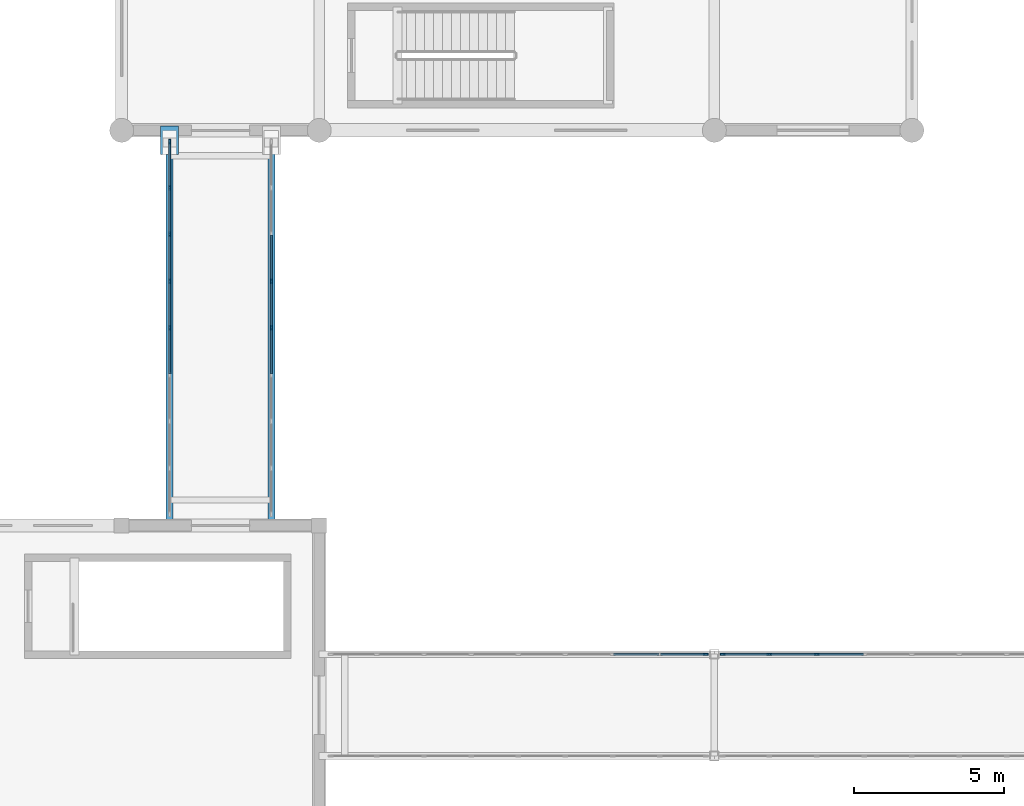
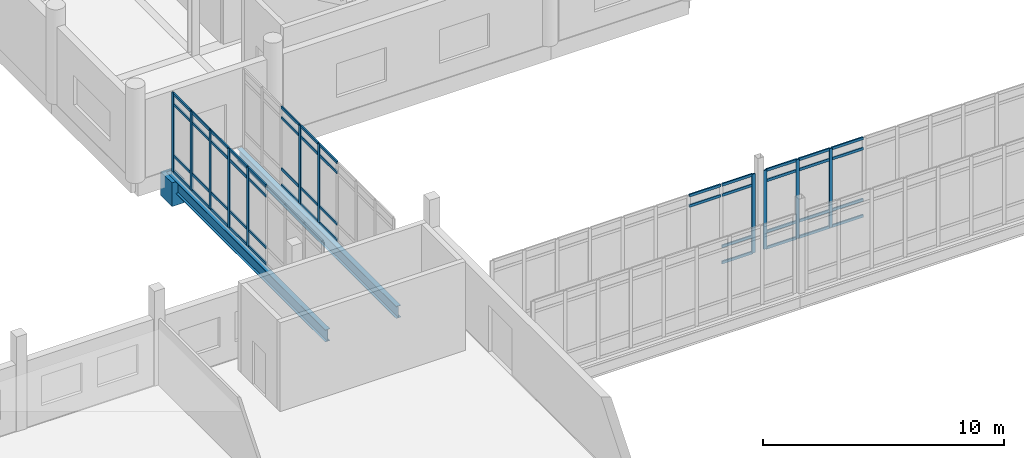
# One storey, part 12 of 101: 61 members, 3 beams, 4 elements without a shape of their own.
"""IFC4 building model written with IfcOpenShell, lengths in metres."""

from ifc_helpers import new_model, si_unit, direction, frame, origin, origin_2d, place, context, subcontext, project, spatial, rectangle, i_section, extrude, material, material_profile, profile_set, type_object, element, aggregate, save


model = new_model("IFC4")

# Units and contexts
model_context = context("Model", 3, precision=1e-05, world=origin(), true_north=direction((0.0, 1.0)))
body_context = subcontext(model_context, "Body", "Model", "MODEL_VIEW")
ifc_project = project(units=[si_unit("LENGTHUNIT", "METRE"), si_unit("AREAUNIT", "SQUARE_METRE"), si_unit("VOLUMEUNIT", "CUBIC_METRE"), si_unit("PLANEANGLEUNIT", "RADIAN"), si_unit("MASSUNIT", "GRAM", prefix="KILO")], contexts=[model_context])

# Site, building, storey
site_placement = place(None, origin())
site = spatial("IfcSite", under=ifc_project, at=site_placement, CompositionType="ELEMENT")
building_placement = place(site_placement, origin())
building = spatial("IfcBuilding", under=site, at=building_placement, Name="Dornvale Research Institute", CompositionType="ELEMENT")
storey_placement = place(building_placement, frame((0.0, 0.0, 10.199951171875)))
storey = spatial("IfcBuildingStorey", under=building, at=storey_placement, Name="L02", CompositionType="ELEMENT", Elevation=10.199951171875)

# Beams
ifc_material_1 = material(Name="Steel ASTM A992 Grade 50", Category="steel")
ifc_material_profile_1 = material_profile(ifc_material_1, i_section(OverallWidth=0.22900390625, OverallDepth=0.612060546875, WebThickness=0.011962890625, FlangeThickness=0.01953125, at=origin_2d()), Name="W24X84")
ifc_profile_set_1 = profile_set([ifc_material_profile_1], Name="Steel ASTM A992 Grade 50")
beam_type_1 = type_object("IfcBeamType", Name="Beam_Steel_W24X84_Bridge", PredefinedType="BEAM", material=ifc_profile_set_1)
for number, where, z_axis, x_axis, name in (
    (1, (41.199951171875, 26.39990234375, -0.52587890625), (0.0, 1.0, 0.0), (-1.0, 0.0, 0.0), "L02 BR-2 west girder #2011"),
    (2, (44.60009765625, 26.39990234375, -0.52587890625), (0.0, 1.0, 0.0), (-1.0, 0.0, 0.0), "L02 BR-2 east girder #2012"),
):
    element("IfcBeam", number, at=place(storey_placement, frame(where, z_axis=z_axis, x_axis=x_axis)), inside=storey, type_object=beam_type_1, Name=name, PredefinedType="BEAM", context=body_context, shape_type="SweptSolid", body=[
        extrude(i_section(OverallWidth=0.22900390625, OverallDepth=0.612060546875, WebThickness=0.011962890625, FlangeThickness=0.01953125, at=origin_2d()), origin(), (0.0, 0.0, 1.0), 13.2001953125),
    ])

# Curtain wall, members
ifc_material_2 = material(Name="Low-E Argon Double Insulating Glazing Unit", Category="glass")
curtain_wall_type_1 = type_object("IfcCurtainWallType", Name="UnitisedCurtainWall_V2_12500x4000", PredefinedType="USERDEFINED", material=ifc_material_2)
curtain_wall_1_placement = place(storey_placement, origin())
curtain_wall_1 = element("IfcCurtainWall", 3, at=curtain_wall_1_placement, inside=storey, type_object=curtain_wall_type_1, Name="L02 V2 unitised curtain wall CW-39 #205", ObjectType="UNITISED CURTAIN WALL", PredefinedType="USERDEFINED")
ifc_material_3 = material(Name="Anodized Aluminum AA 6063-T6 Thermally Broken Frame", Category="aluminium")
ifc_material_profile_2 = material_profile(ifc_material_3, rectangle(XDim=0.06494140625, YDim=0.1650390625, at=origin_2d()), Name="ALU MULLION 65x165")
ifc_profile_set_2 = profile_set([ifc_material_profile_2], Name="Anodized Aluminum AA 6063-T6 Thermally Broken Frame")
member_type_1 = type_object("IfcMemberType", Name="Mullion_Atrium_65x165", PredefinedType="MULLION", material=ifc_profile_set_2)
member_1_placement = place(storey_placement, frame((41.199951171875, 33.0, 0.0), z_axis=(0.0, 0.0, 1.0), x_axis=(-1.0, 0.0, 0.0)))
member_1 = element("IfcMember", 4, at=member_1_placement, type_object=member_type_1, Name="CW-39 mullion 5", PredefinedType="MULLION", context=body_context, shape_type="SweptSolid", body=[
    extrude(rectangle(XDim=0.06494140625, YDim=0.1650390625, at=origin_2d()), origin(), (0.0, 0.0, 1.0), 4.0),
])
member_2_placement = place(storey_placement, frame((41.199951171875, 34.5625, 0.0), z_axis=(0.0, 0.0, 1.0), x_axis=(-1.0, 0.0, 0.0)))
member_2 = element("IfcMember", 5, at=member_2_placement, type_object=member_type_1, Name="CW-39 mullion 6", PredefinedType="MULLION", context=body_context, shape_type="SweptSolid", body=[
    extrude(rectangle(XDim=0.06494140625, YDim=0.1650390625, at=origin_2d()), origin(), (0.0, 0.0, 1.0), 4.0),
])
member_3_placement = place(storey_placement, frame((41.199951171875, 36.125, 0.0), z_axis=(0.0, 0.0, 1.0), x_axis=(-1.0, 0.0, 0.0)))
member_3 = element("IfcMember", 6, at=member_3_placement, type_object=member_type_1, Name="CW-39 mullion 7", PredefinedType="MULLION", context=body_context, shape_type="SweptSolid", body=[
    extrude(rectangle(XDim=0.06494140625, YDim=0.1650390625, at=origin_2d()), origin(), (0.0, 0.0, 1.0), 4.0),
])
member_4_placement = place(storey_placement, frame((41.199951171875, 37.6875, 0.0), z_axis=(0.0, 0.0, 1.0), x_axis=(-1.0, 0.0, 0.0)))
member_4 = element("IfcMember", 7, at=member_4_placement, type_object=member_type_1, Name="CW-39 mullion 8", PredefinedType="MULLION", context=body_context, shape_type="SweptSolid", body=[
    extrude(rectangle(XDim=0.06494140625, YDim=0.1650390625, at=origin_2d()), origin(), (0.0, 0.0, 1.0), 4.0),
])
member_5_placement = place(storey_placement, frame((41.199951171875, 39.217529296875, 0.0), z_axis=(0.0, 0.0, 1.0), x_axis=(-1.0, 0.0, 0.0)))
member_5 = element("IfcMember", 8, at=member_5_placement, type_object=member_type_1, Name="CW-39 mullion 9", PredefinedType="MULLION", context=body_context, shape_type="SweptSolid", body=[
    extrude(rectangle(XDim=0.06494140625, YDim=0.1650390625, at=origin_2d()), origin(), (0.0, 0.0, 1.0), 4.0),
])

curtain_wall_2_placement = place(storey_placement, origin())
curtain_wall_2 = element("IfcCurtainWall", 9, at=curtain_wall_2_placement, inside=storey, type_object=curtain_wall_type_1, Name="L02 V2 unitised curtain wall CW-39 #206", ObjectType="UNITISED CURTAIN WALL", PredefinedType="USERDEFINED")
member_6_placement = place(storey_placement, frame((44.60009765625, 34.5625, 0.0), z_axis=(0.0, 0.0, 1.0), x_axis=(1.0, 0.0, 0.0)))
member_6 = element("IfcMember", 10, at=member_6_placement, type_object=member_type_1, Name="CW-39 mullion 4", PredefinedType="MULLION", context=body_context, shape_type="SweptSolid", body=[
    extrude(rectangle(XDim=0.06494140625, YDim=0.1650390625, at=origin_2d()), origin(), (0.0, 0.0, 1.0), 4.0),
])
member_7_placement = place(storey_placement, frame((44.60009765625, 33.0, 0.0), z_axis=(0.0, 0.0, 1.0), x_axis=(1.0, 0.0, 0.0)))
member_7 = element("IfcMember", 11, at=member_7_placement, type_object=member_type_1, Name="CW-39 mullion 5", PredefinedType="MULLION", context=body_context, shape_type="SweptSolid", body=[
    extrude(rectangle(XDim=0.06494140625, YDim=0.1650390625, at=origin_2d()), origin(), (0.0, 0.0, 1.0), 4.0),
])

# Curtain wall, member
ifc_material_4 = material(Name="Low-E Argon Double Insulating Glazing Unit", Category="glass")
curtain_wall_type_2 = type_object("IfcCurtainWallType", Name="UnitisedCurtainWall_V2_12600x4000", PredefinedType="USERDEFINED", material=ifc_material_4)
curtain_wall_3_placement = place(storey_placement, origin())
curtain_wall_3 = element("IfcCurtainWall", 12, at=curtain_wall_3_placement, inside=storey, type_object=curtain_wall_type_2, Name="L02 V2 unitised curtain wall CW-41 #223", ObjectType="UNITISED CURTAIN WALL", PredefinedType="USERDEFINED")
member_8_placement = place(storey_placement, frame((59.117431640625, 22.10009765625, 0.0), z_axis=(0.0, 0.0, 1.0), x_axis=(0.0, 1.0, 0.0)))
member_8 = element("IfcMember", 13, at=member_8_placement, type_object=member_type_1, Name="CW-41 mullion 9", PredefinedType="MULLION", context=body_context, shape_type="SweptSolid", body=[
    extrude(rectangle(XDim=0.06494140625, YDim=0.1650390625, at=origin_2d()), origin(), (0.0, 0.0, 1.0), 4.0),
])

# Curtain wall, members
ifc_material_5 = material(Name="Low-E Argon Double Insulating Glazing Unit", Category="glass")
curtain_wall_type_3 = type_object("IfcCurtainWallType", Name="UnitisedCurtainWall_V2_12700x4000", PredefinedType="USERDEFINED", material=ifc_material_5)
curtain_wall_4_placement = place(storey_placement, origin())
curtain_wall_4 = element("IfcCurtainWall", 14, at=curtain_wall_4_placement, inside=storey, type_object=curtain_wall_type_3, Name="L02 V2 unitised curtain wall CW-42 #225", ObjectType="UNITISED CURTAIN WALL", PredefinedType="USERDEFINED")
member_9_placement = place(storey_placement, frame((59.6826171875, 22.10009765625, 0.0), z_axis=(0.0, 0.0, 1.0), x_axis=(0.0, 1.0, 0.0)))
member_9 = element("IfcMember", 15, at=member_9_placement, type_object=member_type_1, Name="CW-42 mullion 1", PredefinedType="MULLION", context=body_context, shape_type="SweptSolid", body=[
    extrude(rectangle(XDim=0.06494140625, YDim=0.1650390625, at=origin_2d()), origin(), (0.0, 0.0, 1.0), 4.0),
])
member_10_placement = place(storey_placement, frame((61.237548828125, 22.10009765625, 0.0), z_axis=(0.0, 0.0, 1.0), x_axis=(0.0, 1.0, 0.0)))
member_10 = element("IfcMember", 16, at=member_10_placement, type_object=member_type_1, Name="CW-42 mullion 2", PredefinedType="MULLION", context=body_context, shape_type="SweptSolid", body=[
    extrude(rectangle(XDim=0.06494140625, YDim=0.1650390625, at=origin_2d()), origin(), (0.0, 0.0, 1.0), 4.0),
])
member_11_placement = place(storey_placement, frame((62.824951171875, 22.10009765625, 0.0), z_axis=(0.0, 0.0, 1.0), x_axis=(0.0, 1.0, 0.0)))
member_11 = element("IfcMember", 17, at=member_11_placement, type_object=member_type_1, Name="CW-42 mullion 3", PredefinedType="MULLION", context=body_context, shape_type="SweptSolid", body=[
    extrude(rectangle(XDim=0.06494140625, YDim=0.1650390625, at=origin_2d()), origin(), (0.0, 0.0, 1.0), 4.0),
])

# Beam
ifc_material_6 = material(Name="Concrete f'c 50 MPa (C40/50)", Category="concrete")
ifc_material_profile_3 = material_profile(ifc_material_6, rectangle(XDim=0.60009765625, YDim=1.199951171875, at=origin_2d()), Name="RC 600x1200")
ifc_profile_set_3 = profile_set([ifc_material_profile_3], Name="Concrete f'c 50 MPa (C40/50)")
beam_type_2 = type_object("IfcBeamType", Name="TBeam_RC600x1200_Tie", PredefinedType="T_BEAM", material=ifc_profile_set_3)
beam_placement = place(storey_placement, frame((41.199951171875, 38.800048828125, -0.820068359375), z_axis=(0.0, 1.0, 0.0), x_axis=(-1.0, 0.0, 0.0)))
element("IfcBeam", 18, at=beam_placement, inside=storey, type_object=beam_type_2, Name="L02 BR-2 800mm sliding corbel seat #2016", PredefinedType="T_BEAM", context=body_context, shape_type="SweptSolid", body=[
    extrude(rectangle(XDim=0.60009765625, YDim=1.199951171875, at=origin_2d()), origin(), (0.0, 0.0, 1.0), 0.949951171875),
])

# Member
ifc_material_7 = material(Name="Anodized Aluminum AA 6063-T6 Thermally Broken Frame", Category="aluminium")
ifc_material_profile_4 = material_profile(ifc_material_7, rectangle(XDim=0.06494140625, YDim=0.135009765625, at=origin_2d()), Name="ALU TRANSOM 65x135")
ifc_profile_set_4 = profile_set([ifc_material_profile_4], Name="Anodized Aluminum AA 6063-T6 Thermally Broken Frame")
member_type_2 = type_object("IfcMemberType", Name="Transom_CW_65x135", PredefinedType="USERDEFINED", material=ifc_profile_set_4)
member_12_placement = place(storey_placement, frame((41.199951171875, 31.469970703125, 0.032470703125), z_axis=(0.0, 1.0, 0.0), x_axis=(-1.0, 0.0, 0.0)))
member_12 = element("IfcMember", 19, at=member_12_placement, type_object=member_type_2, Name="CW-39 transom 4.1", ObjectType="TRANSOM", PredefinedType="USERDEFINED", context=body_context, shape_type="SweptSolid", body=[
    extrude(rectangle(XDim=0.06494140625, YDim=0.135009765625, at=origin_2d()), origin(), (0.0, 0.0, 1.0), 1.49755859375),
])

member_13_placement = place(storey_placement, frame((41.199951171875, 31.469970703125, 0.85009765625), z_axis=(0.0, 1.0, 0.0), x_axis=(-1.0, 0.0, 0.0)))
member_13 = element("IfcMember", 20, at=member_13_placement, type_object=member_type_2, Name="CW-39 transom 4.2", ObjectType="TRANSOM", PredefinedType="USERDEFINED", context=body_context, shape_type="SweptSolid", body=[
    extrude(rectangle(XDim=0.06494140625, YDim=0.135009765625, at=origin_2d()), origin(), (0.0, 0.0, 1.0), 1.49755859375),
])

member_14_placement = place(storey_placement, frame((41.199951171875, 31.469970703125, 3.449951171875), z_axis=(0.0, 1.0, 0.0), x_axis=(-1.0, 0.0, 0.0)))
member_14 = element("IfcMember", 21, at=member_14_placement, type_object=member_type_2, Name="CW-39 transom 4.3", ObjectType="TRANSOM", PredefinedType="USERDEFINED", context=body_context, shape_type="SweptSolid", body=[
    extrude(rectangle(XDim=0.06494140625, YDim=0.135009765625, at=origin_2d()), origin(), (0.0, 0.0, 1.0), 1.49755859375),
])

member_15_placement = place(storey_placement, frame((41.199951171875, 31.469970703125, 3.967529296875), z_axis=(0.0, 1.0, 0.0), x_axis=(-1.0, 0.0, 0.0)))
member_15 = element("IfcMember", 22, at=member_15_placement, type_object=member_type_2, Name="CW-39 transom 4.4", ObjectType="TRANSOM", PredefinedType="USERDEFINED", context=body_context, shape_type="SweptSolid", body=[
    extrude(rectangle(XDim=0.06494140625, YDim=0.135009765625, at=origin_2d()), origin(), (0.0, 0.0, 1.0), 1.49755859375),
])

member_16_placement = place(storey_placement, frame((41.199951171875, 33.032470703125, 0.032470703125), z_axis=(0.0, 1.0, 0.0), x_axis=(-1.0, 0.0, 0.0)))
member_16 = element("IfcMember", 23, at=member_16_placement, type_object=member_type_2, Name="CW-39 transom 5.1", ObjectType="TRANSOM", PredefinedType="USERDEFINED", context=body_context, shape_type="SweptSolid", body=[
    extrude(rectangle(XDim=0.06494140625, YDim=0.135009765625, at=origin_2d()), origin(), (0.0, 0.0, 1.0), 1.49755859375),
])

member_17_placement = place(storey_placement, frame((41.199951171875, 33.032470703125, 0.85009765625), z_axis=(0.0, 1.0, 0.0), x_axis=(-1.0, 0.0, 0.0)))
member_17 = element("IfcMember", 24, at=member_17_placement, type_object=member_type_2, Name="CW-39 transom 5.2", ObjectType="TRANSOM", PredefinedType="USERDEFINED", context=body_context, shape_type="SweptSolid", body=[
    extrude(rectangle(XDim=0.06494140625, YDim=0.135009765625, at=origin_2d()), origin(), (0.0, 0.0, 1.0), 1.49755859375),
])

member_18_placement = place(storey_placement, frame((41.199951171875, 33.032470703125, 3.449951171875), z_axis=(0.0, 1.0, 0.0), x_axis=(-1.0, 0.0, 0.0)))
member_18 = element("IfcMember", 25, at=member_18_placement, type_object=member_type_2, Name="CW-39 transom 5.3", ObjectType="TRANSOM", PredefinedType="USERDEFINED", context=body_context, shape_type="SweptSolid", body=[
    extrude(rectangle(XDim=0.06494140625, YDim=0.135009765625, at=origin_2d()), origin(), (0.0, 0.0, 1.0), 1.49755859375),
])

member_19_placement = place(storey_placement, frame((41.199951171875, 33.032470703125, 3.967529296875), z_axis=(0.0, 1.0, 0.0), x_axis=(-1.0, 0.0, 0.0)))
member_19 = element("IfcMember", 26, at=member_19_placement, type_object=member_type_2, Name="CW-39 transom 5.4", ObjectType="TRANSOM", PredefinedType="USERDEFINED", context=body_context, shape_type="SweptSolid", body=[
    extrude(rectangle(XDim=0.06494140625, YDim=0.135009765625, at=origin_2d()), origin(), (0.0, 0.0, 1.0), 1.49755859375),
])

member_20_placement = place(storey_placement, frame((41.199951171875, 34.594970703125, 0.032470703125), z_axis=(0.0, 1.0, 0.0), x_axis=(-1.0, 0.0, 0.0)))
member_20 = element("IfcMember", 27, at=member_20_placement, type_object=member_type_2, Name="CW-39 transom 6.1", ObjectType="TRANSOM", PredefinedType="USERDEFINED", context=body_context, shape_type="SweptSolid", body=[
    extrude(rectangle(XDim=0.06494140625, YDim=0.135009765625, at=origin_2d()), origin(), (0.0, 0.0, 1.0), 1.49755859375),
])

member_21_placement = place(storey_placement, frame((41.199951171875, 34.594970703125, 0.85009765625), z_axis=(0.0, 1.0, 0.0), x_axis=(-1.0, 0.0, 0.0)))
member_21 = element("IfcMember", 28, at=member_21_placement, type_object=member_type_2, Name="CW-39 transom 6.2", ObjectType="TRANSOM", PredefinedType="USERDEFINED", context=body_context, shape_type="SweptSolid", body=[
    extrude(rectangle(XDim=0.06494140625, YDim=0.135009765625, at=origin_2d()), origin(), (0.0, 0.0, 1.0), 1.49755859375),
])

member_22_placement = place(storey_placement, frame((41.199951171875, 34.594970703125, 3.449951171875), z_axis=(0.0, 1.0, 0.0), x_axis=(-1.0, 0.0, 0.0)))
member_22 = element("IfcMember", 29, at=member_22_placement, type_object=member_type_2, Name="CW-39 transom 6.3", ObjectType="TRANSOM", PredefinedType="USERDEFINED", context=body_context, shape_type="SweptSolid", body=[
    extrude(rectangle(XDim=0.06494140625, YDim=0.135009765625, at=origin_2d()), origin(), (0.0, 0.0, 1.0), 1.49755859375),
])

member_23_placement = place(storey_placement, frame((41.199951171875, 34.594970703125, 3.967529296875), z_axis=(0.0, 1.0, 0.0), x_axis=(-1.0, 0.0, 0.0)))
member_23 = element("IfcMember", 30, at=member_23_placement, type_object=member_type_2, Name="CW-39 transom 6.4", ObjectType="TRANSOM", PredefinedType="USERDEFINED", context=body_context, shape_type="SweptSolid", body=[
    extrude(rectangle(XDim=0.06494140625, YDim=0.135009765625, at=origin_2d()), origin(), (0.0, 0.0, 1.0), 1.49755859375),
])

member_24_placement = place(storey_placement, frame((41.199951171875, 36.157470703125, 0.032470703125), z_axis=(0.0, 1.0, 0.0), x_axis=(-1.0, 0.0, 0.0)))
member_24 = element("IfcMember", 31, at=member_24_placement, type_object=member_type_2, Name="CW-39 transom 7.1", ObjectType="TRANSOM", PredefinedType="USERDEFINED", context=body_context, shape_type="SweptSolid", body=[
    extrude(rectangle(XDim=0.06494140625, YDim=0.135009765625, at=origin_2d()), origin(), (0.0, 0.0, 1.0), 1.49755859375),
])

member_25_placement = place(storey_placement, frame((41.199951171875, 36.157470703125, 0.85009765625), z_axis=(0.0, 1.0, 0.0), x_axis=(-1.0, 0.0, 0.0)))
member_25 = element("IfcMember", 32, at=member_25_placement, type_object=member_type_2, Name="CW-39 transom 7.2", ObjectType="TRANSOM", PredefinedType="USERDEFINED", context=body_context, shape_type="SweptSolid", body=[
    extrude(rectangle(XDim=0.06494140625, YDim=0.135009765625, at=origin_2d()), origin(), (0.0, 0.0, 1.0), 1.49755859375),
])

member_26_placement = place(storey_placement, frame((41.199951171875, 36.157470703125, 3.449951171875), z_axis=(0.0, 1.0, 0.0), x_axis=(-1.0, 0.0, 0.0)))
member_26 = element("IfcMember", 33, at=member_26_placement, type_object=member_type_2, Name="CW-39 transom 7.3", ObjectType="TRANSOM", PredefinedType="USERDEFINED", context=body_context, shape_type="SweptSolid", body=[
    extrude(rectangle(XDim=0.06494140625, YDim=0.135009765625, at=origin_2d()), origin(), (0.0, 0.0, 1.0), 1.49755859375),
])

member_27_placement = place(storey_placement, frame((41.199951171875, 36.157470703125, 3.967529296875), z_axis=(0.0, 1.0, 0.0), x_axis=(-1.0, 0.0, 0.0)))
member_27 = element("IfcMember", 34, at=member_27_placement, type_object=member_type_2, Name="CW-39 transom 7.4", ObjectType="TRANSOM", PredefinedType="USERDEFINED", context=body_context, shape_type="SweptSolid", body=[
    extrude(rectangle(XDim=0.06494140625, YDim=0.135009765625, at=origin_2d()), origin(), (0.0, 0.0, 1.0), 1.49755859375),
])

member_28_placement = place(storey_placement, frame((41.199951171875, 37.719970703125, 0.032470703125), z_axis=(0.0, 1.0, 0.0), x_axis=(-1.0, 0.0, 0.0)))
member_28 = element("IfcMember", 35, at=member_28_placement, type_object=member_type_2, Name="CW-39 transom 8.1", ObjectType="TRANSOM", PredefinedType="USERDEFINED", context=body_context, shape_type="SweptSolid", body=[
    extrude(rectangle(XDim=0.06494140625, YDim=0.135009765625, at=origin_2d()), origin(), (0.0, 0.0, 1.0), 1.465087890625),
])

member_29_placement = place(storey_placement, frame((41.199951171875, 37.719970703125, 0.85009765625), z_axis=(0.0, 1.0, 0.0), x_axis=(-1.0, 0.0, 0.0)))
member_29 = element("IfcMember", 36, at=member_29_placement, type_object=member_type_2, Name="CW-39 transom 8.2", ObjectType="TRANSOM", PredefinedType="USERDEFINED", context=body_context, shape_type="SweptSolid", body=[
    extrude(rectangle(XDim=0.06494140625, YDim=0.135009765625, at=origin_2d()), origin(), (0.0, 0.0, 1.0), 1.465087890625),
])

member_30_placement = place(storey_placement, frame((41.199951171875, 37.719970703125, 3.449951171875), z_axis=(0.0, 1.0, 0.0), x_axis=(-1.0, 0.0, 0.0)))
member_30 = element("IfcMember", 37, at=member_30_placement, type_object=member_type_2, Name="CW-39 transom 8.3", ObjectType="TRANSOM", PredefinedType="USERDEFINED", context=body_context, shape_type="SweptSolid", body=[
    extrude(rectangle(XDim=0.06494140625, YDim=0.135009765625, at=origin_2d()), origin(), (0.0, 0.0, 1.0), 1.465087890625),
])

member_31_placement = place(storey_placement, frame((41.199951171875, 37.719970703125, 3.967529296875), z_axis=(0.0, 1.0, 0.0), x_axis=(-1.0, 0.0, 0.0)))
member_31 = element("IfcMember", 38, at=member_31_placement, type_object=member_type_2, Name="CW-39 transom 8.4", ObjectType="TRANSOM", PredefinedType="USERDEFINED", context=body_context, shape_type="SweptSolid", body=[
    extrude(rectangle(XDim=0.06494140625, YDim=0.135009765625, at=origin_2d()), origin(), (0.0, 0.0, 1.0), 1.465087890625),
])

aggregate(curtain_wall_1, [member_1, member_2, member_3, member_4, member_5, member_12, member_13, member_14, member_15, member_16, member_17, member_18, member_19, member_20, member_21, member_22, member_23, member_24, member_25, member_26, member_27, member_28, member_29, member_30, member_31])

member_32_placement = place(storey_placement, frame((44.60009765625, 36.092529296875, 0.032470703125), z_axis=(0.0, -1.0, 0.0), x_axis=(1.0, 0.0, 0.0)))
member_32 = element("IfcMember", 39, at=member_32_placement, type_object=member_type_2, Name="CW-39 transom 3.1", ObjectType="TRANSOM", PredefinedType="USERDEFINED", context=body_context, shape_type="SweptSolid", body=[
    extrude(rectangle(XDim=0.06494140625, YDim=0.135009765625, at=origin_2d()), origin(), (0.0, 0.0, 1.0), 1.49755859375),
])

member_33_placement = place(storey_placement, frame((44.60009765625, 36.092529296875, 0.85009765625), z_axis=(0.0, -1.0, 0.0), x_axis=(1.0, 0.0, 0.0)))
member_33 = element("IfcMember", 40, at=member_33_placement, type_object=member_type_2, Name="CW-39 transom 3.2", ObjectType="TRANSOM", PredefinedType="USERDEFINED", context=body_context, shape_type="SweptSolid", body=[
    extrude(rectangle(XDim=0.06494140625, YDim=0.135009765625, at=origin_2d()), origin(), (0.0, 0.0, 1.0), 1.49755859375),
])

member_34_placement = place(storey_placement, frame((44.60009765625, 36.092529296875, 3.449951171875), z_axis=(0.0, -1.0, 0.0), x_axis=(1.0, 0.0, 0.0)))
member_34 = element("IfcMember", 41, at=member_34_placement, type_object=member_type_2, Name="CW-39 transom 3.3", ObjectType="TRANSOM", PredefinedType="USERDEFINED", context=body_context, shape_type="SweptSolid", body=[
    extrude(rectangle(XDim=0.06494140625, YDim=0.135009765625, at=origin_2d()), origin(), (0.0, 0.0, 1.0), 1.49755859375),
])

member_35_placement = place(storey_placement, frame((44.60009765625, 36.092529296875, 3.967529296875), z_axis=(0.0, -1.0, 0.0), x_axis=(1.0, 0.0, 0.0)))
member_35 = element("IfcMember", 42, at=member_35_placement, type_object=member_type_2, Name="CW-39 transom 3.4", ObjectType="TRANSOM", PredefinedType="USERDEFINED", context=body_context, shape_type="SweptSolid", body=[
    extrude(rectangle(XDim=0.06494140625, YDim=0.135009765625, at=origin_2d()), origin(), (0.0, 0.0, 1.0), 1.49755859375),
])

member_36_placement = place(storey_placement, frame((44.60009765625, 34.530029296875, 0.032470703125), z_axis=(0.0, -1.0, 0.0), x_axis=(1.0, 0.0, 0.0)))
member_36 = element("IfcMember", 43, at=member_36_placement, type_object=member_type_2, Name="CW-39 transom 4.1", ObjectType="TRANSOM", PredefinedType="USERDEFINED", context=body_context, shape_type="SweptSolid", body=[
    extrude(rectangle(XDim=0.06494140625, YDim=0.135009765625, at=origin_2d()), origin(), (0.0, 0.0, 1.0), 1.49755859375),
])

member_37_placement = place(storey_placement, frame((44.60009765625, 34.530029296875, 0.85009765625), z_axis=(0.0, -1.0, 0.0), x_axis=(1.0, 0.0, 0.0)))
member_37 = element("IfcMember", 44, at=member_37_placement, type_object=member_type_2, Name="CW-39 transom 4.2", ObjectType="TRANSOM", PredefinedType="USERDEFINED", context=body_context, shape_type="SweptSolid", body=[
    extrude(rectangle(XDim=0.06494140625, YDim=0.135009765625, at=origin_2d()), origin(), (0.0, 0.0, 1.0), 1.49755859375),
])

member_38_placement = place(storey_placement, frame((44.60009765625, 34.530029296875, 3.449951171875), z_axis=(0.0, -1.0, 0.0), x_axis=(1.0, 0.0, 0.0)))
member_38 = element("IfcMember", 45, at=member_38_placement, type_object=member_type_2, Name="CW-39 transom 4.3", ObjectType="TRANSOM", PredefinedType="USERDEFINED", context=body_context, shape_type="SweptSolid", body=[
    extrude(rectangle(XDim=0.06494140625, YDim=0.135009765625, at=origin_2d()), origin(), (0.0, 0.0, 1.0), 1.49755859375),
])

member_39_placement = place(storey_placement, frame((44.60009765625, 34.530029296875, 3.967529296875), z_axis=(0.0, -1.0, 0.0), x_axis=(1.0, 0.0, 0.0)))
member_39 = element("IfcMember", 46, at=member_39_placement, type_object=member_type_2, Name="CW-39 transom 4.4", ObjectType="TRANSOM", PredefinedType="USERDEFINED", context=body_context, shape_type="SweptSolid", body=[
    extrude(rectangle(XDim=0.06494140625, YDim=0.135009765625, at=origin_2d()), origin(), (0.0, 0.0, 1.0), 1.49755859375),
])

member_40_placement = place(storey_placement, frame((44.60009765625, 32.967529296875, 0.032470703125), z_axis=(0.0, -1.0, 0.0), x_axis=(1.0, 0.0, 0.0)))
member_40 = element("IfcMember", 47, at=member_40_placement, type_object=member_type_2, Name="CW-39 transom 5.1", ObjectType="TRANSOM", PredefinedType="USERDEFINED", context=body_context, shape_type="SweptSolid", body=[
    extrude(rectangle(XDim=0.06494140625, YDim=0.135009765625, at=origin_2d()), origin(), (0.0, 0.0, 1.0), 1.49755859375),
])

member_41_placement = place(storey_placement, frame((44.60009765625, 32.967529296875, 0.85009765625), z_axis=(0.0, -1.0, 0.0), x_axis=(1.0, 0.0, 0.0)))
member_41 = element("IfcMember", 48, at=member_41_placement, type_object=member_type_2, Name="CW-39 transom 5.2", ObjectType="TRANSOM", PredefinedType="USERDEFINED", context=body_context, shape_type="SweptSolid", body=[
    extrude(rectangle(XDim=0.06494140625, YDim=0.135009765625, at=origin_2d()), origin(), (0.0, 0.0, 1.0), 1.49755859375),
])

member_42_placement = place(storey_placement, frame((44.60009765625, 32.967529296875, 3.449951171875), z_axis=(0.0, -1.0, 0.0), x_axis=(1.0, 0.0, 0.0)))
member_42 = element("IfcMember", 49, at=member_42_placement, type_object=member_type_2, Name="CW-39 transom 5.3", ObjectType="TRANSOM", PredefinedType="USERDEFINED", context=body_context, shape_type="SweptSolid", body=[
    extrude(rectangle(XDim=0.06494140625, YDim=0.135009765625, at=origin_2d()), origin(), (0.0, 0.0, 1.0), 1.49755859375),
])

member_43_placement = place(storey_placement, frame((44.60009765625, 32.967529296875, 3.967529296875), z_axis=(0.0, -1.0, 0.0), x_axis=(1.0, 0.0, 0.0)))
member_43 = element("IfcMember", 50, at=member_43_placement, type_object=member_type_2, Name="CW-39 transom 5.4", ObjectType="TRANSOM", PredefinedType="USERDEFINED", context=body_context, shape_type="SweptSolid", body=[
    extrude(rectangle(XDim=0.06494140625, YDim=0.135009765625, at=origin_2d()), origin(), (0.0, 0.0, 1.0), 1.49755859375),
])

aggregate(curtain_wall_2, [member_6, member_7, member_32, member_33, member_34, member_35, member_36, member_37, member_38, member_39, member_40, member_41, member_42, member_43])

member_44_placement = place(storey_placement, frame((56.032470703125, 22.10009765625, 3.449951171875), z_axis=(1.0, 0.0, 0.0), x_axis=(0.0, 1.0, 0.0)))
member_44 = element("IfcMember", 51, at=member_44_placement, type_object=member_type_2, Name="CW-41 transom 7.3", ObjectType="TRANSOM", PredefinedType="USERDEFINED", context=body_context, shape_type="SweptSolid", body=[
    extrude(rectangle(XDim=0.06494140625, YDim=0.135009765625, at=origin_2d()), origin(), (0.0, 0.0, 1.0), 1.510009765625),
])

member_45_placement = place(storey_placement, frame((56.032470703125, 22.10009765625, 3.967529296875), z_axis=(1.0, 0.0, 0.0), x_axis=(0.0, 1.0, 0.0)))
member_45 = element("IfcMember", 52, at=member_45_placement, type_object=member_type_2, Name="CW-41 transom 7.4", ObjectType="TRANSOM", PredefinedType="USERDEFINED", context=body_context, shape_type="SweptSolid", body=[
    extrude(rectangle(XDim=0.06494140625, YDim=0.135009765625, at=origin_2d()), origin(), (0.0, 0.0, 1.0), 1.510009765625),
])

member_46_placement = place(storey_placement, frame((57.607421875, 22.10009765625, 0.032470703125), z_axis=(1.0, 0.0, 0.0), x_axis=(0.0, 1.0, 0.0)))
member_46 = element("IfcMember", 53, at=member_46_placement, type_object=member_type_2, Name="CW-41 transom 8.1", ObjectType="TRANSOM", PredefinedType="USERDEFINED", context=body_context, shape_type="SweptSolid", body=[
    extrude(rectangle(XDim=0.06494140625, YDim=0.135009765625, at=origin_2d()), origin(), (0.0, 0.0, 1.0), 1.4775390625),
])

member_47_placement = place(storey_placement, frame((57.607421875, 22.10009765625, 0.85009765625), z_axis=(1.0, 0.0, 0.0), x_axis=(0.0, 1.0, 0.0)))
member_47 = element("IfcMember", 54, at=member_47_placement, type_object=member_type_2, Name="CW-41 transom 8.2", ObjectType="TRANSOM", PredefinedType="USERDEFINED", context=body_context, shape_type="SweptSolid", body=[
    extrude(rectangle(XDim=0.06494140625, YDim=0.135009765625, at=origin_2d()), origin(), (0.0, 0.0, 1.0), 1.4775390625),
])

member_48_placement = place(storey_placement, frame((57.607421875, 22.10009765625, 3.449951171875), z_axis=(1.0, 0.0, 0.0), x_axis=(0.0, 1.0, 0.0)))
member_48 = element("IfcMember", 55, at=member_48_placement, type_object=member_type_2, Name="CW-41 transom 8.3", ObjectType="TRANSOM", PredefinedType="USERDEFINED", context=body_context, shape_type="SweptSolid", body=[
    extrude(rectangle(XDim=0.06494140625, YDim=0.135009765625, at=origin_2d()), origin(), (0.0, 0.0, 1.0), 1.4775390625),
])

member_49_placement = place(storey_placement, frame((57.607421875, 22.10009765625, 3.967529296875), z_axis=(1.0, 0.0, 0.0), x_axis=(0.0, 1.0, 0.0)))
member_49 = element("IfcMember", 56, at=member_49_placement, type_object=member_type_2, Name="CW-41 transom 8.4", ObjectType="TRANSOM", PredefinedType="USERDEFINED", context=body_context, shape_type="SweptSolid", body=[
    extrude(rectangle(XDim=0.06494140625, YDim=0.135009765625, at=origin_2d()), origin(), (0.0, 0.0, 1.0), 1.4775390625),
])

aggregate(curtain_wall_3, [member_8, member_44, member_45, member_46, member_47, member_48, member_49])

member_50_placement = place(storey_placement, frame((59.715087890625, 22.10009765625, 0.032470703125), z_axis=(1.0, 0.0, 0.0), x_axis=(0.0, 1.0, 0.0)))
member_50 = element("IfcMember", 57, at=member_50_placement, type_object=member_type_2, Name="CW-42 transom 1.1", ObjectType="TRANSOM", PredefinedType="USERDEFINED", context=body_context, shape_type="SweptSolid", body=[
    extrude(rectangle(XDim=0.06494140625, YDim=0.135009765625, at=origin_2d()), origin(), (0.0, 0.0, 1.0), 1.489990234375),
])

member_51_placement = place(storey_placement, frame((59.715087890625, 22.10009765625, 0.85009765625), z_axis=(1.0, 0.0, 0.0), x_axis=(0.0, 1.0, 0.0)))
member_51 = element("IfcMember", 58, at=member_51_placement, type_object=member_type_2, Name="CW-42 transom 1.2", ObjectType="TRANSOM", PredefinedType="USERDEFINED", context=body_context, shape_type="SweptSolid", body=[
    extrude(rectangle(XDim=0.06494140625, YDim=0.135009765625, at=origin_2d()), origin(), (0.0, 0.0, 1.0), 1.489990234375),
])

member_52_placement = place(storey_placement, frame((59.715087890625, 22.10009765625, 3.449951171875), z_axis=(1.0, 0.0, 0.0), x_axis=(0.0, 1.0, 0.0)))
member_52 = element("IfcMember", 59, at=member_52_placement, type_object=member_type_2, Name="CW-42 transom 1.3", ObjectType="TRANSOM", PredefinedType="USERDEFINED", context=body_context, shape_type="SweptSolid", body=[
    extrude(rectangle(XDim=0.06494140625, YDim=0.135009765625, at=origin_2d()), origin(), (0.0, 0.0, 1.0), 1.489990234375),
])

member_53_placement = place(storey_placement, frame((59.715087890625, 22.10009765625, 3.967529296875), z_axis=(1.0, 0.0, 0.0), x_axis=(0.0, 1.0, 0.0)))
member_53 = element("IfcMember", 60, at=member_53_placement, type_object=member_type_2, Name="CW-42 transom 1.4", ObjectType="TRANSOM", PredefinedType="USERDEFINED", context=body_context, shape_type="SweptSolid", body=[
    extrude(rectangle(XDim=0.06494140625, YDim=0.135009765625, at=origin_2d()), origin(), (0.0, 0.0, 1.0), 1.489990234375),
])

member_54_placement = place(storey_placement, frame((61.27001953125, 22.10009765625, 0.032470703125), z_axis=(1.0, 0.0, 0.0), x_axis=(0.0, 1.0, 0.0)))
member_54 = element("IfcMember", 61, at=member_54_placement, type_object=member_type_2, Name="CW-42 transom 2.1", ObjectType="TRANSOM", PredefinedType="USERDEFINED", context=body_context, shape_type="SweptSolid", body=[
    extrude(rectangle(XDim=0.06494140625, YDim=0.135009765625, at=origin_2d()), origin(), (0.0, 0.0, 1.0), 1.5224609375),
])

member_55_placement = place(storey_placement, frame((61.27001953125, 22.10009765625, 0.85009765625), z_axis=(1.0, 0.0, 0.0), x_axis=(0.0, 1.0, 0.0)))
member_55 = element("IfcMember", 62, at=member_55_placement, type_object=member_type_2, Name="CW-42 transom 2.2", ObjectType="TRANSOM", PredefinedType="USERDEFINED", context=body_context, shape_type="SweptSolid", body=[
    extrude(rectangle(XDim=0.06494140625, YDim=0.135009765625, at=origin_2d()), origin(), (0.0, 0.0, 1.0), 1.5224609375),
])

member_56_placement = place(storey_placement, frame((61.27001953125, 22.10009765625, 3.449951171875), z_axis=(1.0, 0.0, 0.0), x_axis=(0.0, 1.0, 0.0)))
member_56 = element("IfcMember", 63, at=member_56_placement, type_object=member_type_2, Name="CW-42 transom 2.3", ObjectType="TRANSOM", PredefinedType="USERDEFINED", context=body_context, shape_type="SweptSolid", body=[
    extrude(rectangle(XDim=0.06494140625, YDim=0.135009765625, at=origin_2d()), origin(), (0.0, 0.0, 1.0), 1.5224609375),
])

member_57_placement = place(storey_placement, frame((61.27001953125, 22.10009765625, 3.967529296875), z_axis=(1.0, 0.0, 0.0), x_axis=(0.0, 1.0, 0.0)))
member_57 = element("IfcMember", 64, at=member_57_placement, type_object=member_type_2, Name="CW-42 transom 2.4", ObjectType="TRANSOM", PredefinedType="USERDEFINED", context=body_context, shape_type="SweptSolid", body=[
    extrude(rectangle(XDim=0.06494140625, YDim=0.135009765625, at=origin_2d()), origin(), (0.0, 0.0, 1.0), 1.5224609375),
])

member_58_placement = place(storey_placement, frame((62.857421875, 22.10009765625, 0.032470703125), z_axis=(1.0, 0.0, 0.0), x_axis=(0.0, 1.0, 0.0)))
member_58 = element("IfcMember", 65, at=member_58_placement, type_object=member_type_2, Name="CW-42 transom 3.1", ObjectType="TRANSOM", PredefinedType="USERDEFINED", context=body_context, shape_type="SweptSolid", body=[
    extrude(rectangle(XDim=0.06494140625, YDim=0.135009765625, at=origin_2d()), origin(), (0.0, 0.0, 1.0), 1.5224609375),
])

member_59_placement = place(storey_placement, frame((62.857421875, 22.10009765625, 0.85009765625), z_axis=(1.0, 0.0, 0.0), x_axis=(0.0, 1.0, 0.0)))
member_59 = element("IfcMember", 66, at=member_59_placement, type_object=member_type_2, Name="CW-42 transom 3.2", ObjectType="TRANSOM", PredefinedType="USERDEFINED", context=body_context, shape_type="SweptSolid", body=[
    extrude(rectangle(XDim=0.06494140625, YDim=0.135009765625, at=origin_2d()), origin(), (0.0, 0.0, 1.0), 1.5224609375),
])

member_60_placement = place(storey_placement, frame((62.857421875, 22.10009765625, 3.449951171875), z_axis=(1.0, 0.0, 0.0), x_axis=(0.0, 1.0, 0.0)))
member_60 = element("IfcMember", 67, at=member_60_placement, type_object=member_type_2, Name="CW-42 transom 3.3", ObjectType="TRANSOM", PredefinedType="USERDEFINED", context=body_context, shape_type="SweptSolid", body=[
    extrude(rectangle(XDim=0.06494140625, YDim=0.135009765625, at=origin_2d()), origin(), (0.0, 0.0, 1.0), 1.5224609375),
])

member_61_placement = place(storey_placement, frame((62.857421875, 22.10009765625, 3.967529296875), z_axis=(1.0, 0.0, 0.0), x_axis=(0.0, 1.0, 0.0)))
member_61 = element("IfcMember", 68, at=member_61_placement, type_object=member_type_2, Name="CW-42 transom 3.4", ObjectType="TRANSOM", PredefinedType="USERDEFINED", context=body_context, shape_type="SweptSolid", body=[
    extrude(rectangle(XDim=0.06494140625, YDim=0.135009765625, at=origin_2d()), origin(), (0.0, 0.0, 1.0), 1.5224609375),
])

aggregate(curtain_wall_4, [member_9, member_10, member_11, member_50, member_51, member_52, member_53, member_54, member_55, member_56, member_57, member_58, member_59, member_60, member_61])

save(model, "model.ifc")
